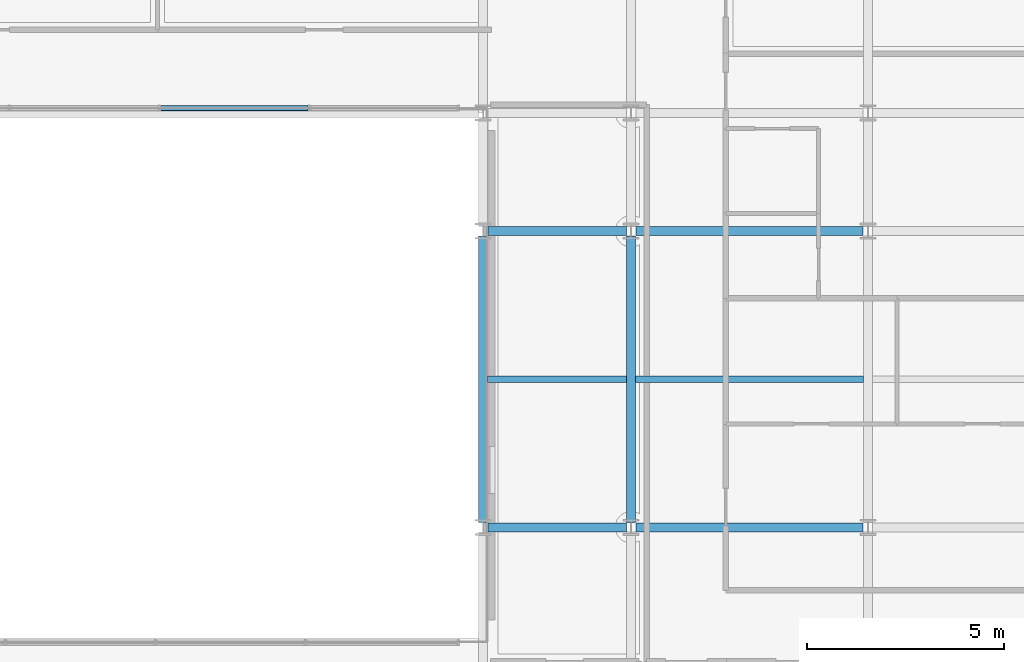
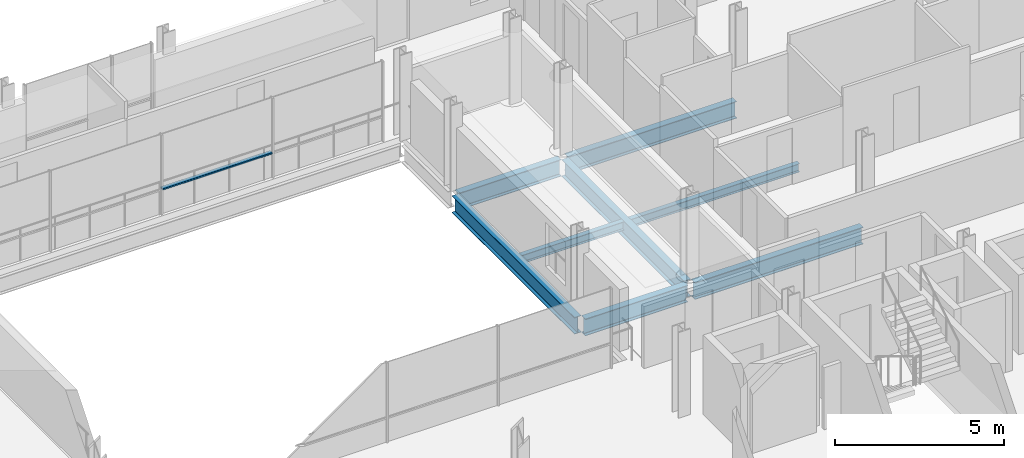
# One storey, part 18 of 38: 8 beams, 1 member, 1 element without a shape of its own.
"""IFC4 building model written with IfcOpenShell, lengths in metres."""

from ifc_helpers import new_model, si_unit, direction, frame, origin, origin_2d, place, context, subcontext, project, spatial, hollow_rectangle, i_section, extrude, material, layer, layer_set, material_profile, profile_set, type_object, element, aggregate, save


model = new_model("IFC4")

# Units and contexts
model_context = context("Model", 3, precision=1e-05, world=origin(), true_north=direction((0.0, 1.0)))
body_context = subcontext(model_context, "Body", "Model", "MODEL_VIEW")
ifc_project = project(units=[si_unit("LENGTHUNIT", "METRE"), si_unit("AREAUNIT", "SQUARE_METRE"), si_unit("VOLUMEUNIT", "CUBIC_METRE"), si_unit("PLANEANGLEUNIT", "RADIAN"), si_unit("MASSUNIT", "GRAM", prefix="KILO")], contexts=[model_context])

# Site, building, storey
site_placement = place(None, origin())
site = spatial("IfcSite", under=ifc_project, at=site_placement, CompositionType="ELEMENT")
building_placement = place(site_placement, origin())
building = spatial("IfcBuilding", under=site, at=building_placement, Name="Brevholm Reach", CompositionType="ELEMENT")
storey_placement = place(building_placement, frame((0.0, 0.0, 166.60009765625)))
storey = spatial("IfcBuildingStorey", under=building, at=storey_placement, Name="L50", CompositionType="ELEMENT", Elevation=166.60009765625)

# Beams
ifc_material_1 = material(Name="Structural Steel S355J2", Category="steel")
ifc_material_profile_1 = material_profile(ifc_material_1, i_section(OverallWidth=0.1650390625, OverallDepth=0.303466796875, WebThickness=0.006103515625, FlangeThickness=0.01025390625, FilletRadius=0.0087890625, at=origin_2d()), Name="UKB 305x165x40")
ifc_profile_set_1 = profile_set([ifc_material_profile_1], Name="Structural Steel S355J2")
beam_type_1 = type_object("IfcBeamType", Name="BM-B305", PredefinedType="BEAM", material=ifc_profile_set_1)
beam_1_placement = place(storey_placement, frame((38.364501953125, 19.75, -0.371826171875), z_axis=(1.0, 0.0, 0.0), x_axis=(0.0, 1.0, 0.0)))
element("IfcBeam", 1, at=beam_1_placement, inside=storey, type_object=beam_type_1, Name="L50 Composite Secondary Floor Beam", PredefinedType="BEAM", context=body_context, shape_type="SweptSolid", body=[
    extrude(i_section(OverallWidth=0.1650390625, OverallDepth=0.303466796875, WebThickness=0.006103515625, FlangeThickness=0.01025390625, FilletRadius=0.0087890625, at=origin_2d()), origin(), (0.0, 0.0, 1.0), 3.52099609375),
])
beam_2_placement = place(storey_placement, frame((42.114501953125, 19.75, -0.371826171875), z_axis=(1.0, 0.0, 0.0), x_axis=(0.0, 1.0, 0.0)))
element("IfcBeam", 2, at=beam_2_placement, inside=storey, type_object=beam_type_1, Name="L50 Composite Secondary Floor Beam", PredefinedType="BEAM", context=body_context, shape_type="SweptSolid", body=[
    extrude(i_section(OverallWidth=0.1650390625, OverallDepth=0.303466796875, WebThickness=0.006103515625, FlangeThickness=0.01025390625, FilletRadius=0.0087890625, at=origin_2d()), origin(), (0.0, 0.0, 1.0), 5.77099609375),
])
ifc_material_2 = material(Name="Structural Steel S355J2", Category="steel")
ifc_material_profile_2 = material_profile(ifc_material_2, i_section(OverallWidth=0.22900390625, OverallDepth=0.6123046875, WebThickness=0.011962890625, FlangeThickness=0.01953125, FilletRadius=0.0126953125, at=origin_2d()), Name="UKB 610x229x125")
ifc_profile_set_2 = profile_set([ifc_material_profile_2], Name="Structural Steel S355J2")
beam_type_2 = type_object("IfcBeamType", Name="BM-SP610", PredefinedType="SPANDREL", material=ifc_profile_set_2)
beam_3_placement = place(storey_placement, frame((38.3701171875, 16.0, -0.526123046875), z_axis=(1.0, 0.0, 0.0), x_axis=(0.0, 1.0, 0.0)))
element("IfcBeam", 3, at=beam_3_placement, inside=storey, type_object=beam_type_2, Name="L50 SP-01 Framing Beam", PredefinedType="SPANDREL", context=body_context, shape_type="SweptSolid", body=[
    extrude(i_section(OverallWidth=0.22900390625, OverallDepth=0.6123046875, WebThickness=0.011962890625, FlangeThickness=0.01953125, FilletRadius=0.0126953125, at=origin_2d()), origin(), (0.0, 0.0, 1.0), 3.509765625),
])
beam_4_placement = place(storey_placement, frame((42.1201171875, 16.0, -0.526123046875), z_axis=(1.0, 0.0, 0.0), x_axis=(0.0, 1.0, 0.0)))
element("IfcBeam", 4, at=beam_4_placement, inside=storey, type_object=beam_type_2, Name="L50 SP-01 Framing Beam", PredefinedType="SPANDREL", context=body_context, shape_type="SweptSolid", body=[
    extrude(i_section(OverallWidth=0.22900390625, OverallDepth=0.6123046875, WebThickness=0.011962890625, FlangeThickness=0.01953125, FilletRadius=0.0126953125, at=origin_2d()), origin(), (0.0, 0.0, 1.0), 5.759765625),
])
beam_5_placement = place(storey_placement, frame((38.3701171875, 23.5, -0.526123046875), z_axis=(1.0, 0.0, 0.0), x_axis=(0.0, 1.0, 0.0)))
element("IfcBeam", 5, at=beam_5_placement, inside=storey, type_object=beam_type_2, Name="L50 SP-01 Framing Beam", PredefinedType="SPANDREL", context=body_context, shape_type="SweptSolid", body=[
    extrude(i_section(OverallWidth=0.22900390625, OverallDepth=0.6123046875, WebThickness=0.011962890625, FlangeThickness=0.01953125, FilletRadius=0.0126953125, at=origin_2d()), origin(), (0.0, 0.0, 1.0), 3.509765625),
])
beam_6_placement = place(storey_placement, frame((42.1201171875, 23.5, -0.526123046875), z_axis=(1.0, 0.0, 0.0), x_axis=(0.0, 1.0, 0.0)))
element("IfcBeam", 6, at=beam_6_placement, inside=storey, type_object=beam_type_2, Name="L50 SP-01 Framing Beam", PredefinedType="SPANDREL", context=body_context, shape_type="SweptSolid", body=[
    extrude(i_section(OverallWidth=0.22900390625, OverallDepth=0.6123046875, WebThickness=0.011962890625, FlangeThickness=0.01953125, FilletRadius=0.0126953125, at=origin_2d()), origin(), (0.0, 0.0, 1.0), 5.759765625),
])
for number, where, z_axis, x_axis, name in (
    (7, (38.25, 16.1201171875, -0.526123046875), (0.0, 1.0, 0.0), (-1.0, 0.0, 0.0), "L50 SP-01 Framing Beam"),
    (8, (42.0, 16.1201171875, -0.526123046875), (0.0, 1.0, 0.0), (-1.0, 0.0, 0.0), "L50 SP-01 Framing Beam"),
):
    element("IfcBeam", number, at=place(storey_placement, frame(where, z_axis=z_axis, x_axis=x_axis)), inside=storey, type_object=beam_type_2, Name=name, PredefinedType="SPANDREL", context=body_context, shape_type="SweptSolid", body=[
        extrude(i_section(OverallWidth=0.22900390625, OverallDepth=0.6123046875, WebThickness=0.011962890625, FlangeThickness=0.01953125, FilletRadius=0.0126953125, at=origin_2d()), origin(), (0.0, 0.0, 1.0), 7.259765625),
    ])

# Curtain wall, member
ifc_material_3 = material(Name="Dark Anodised Aluminium 6063-T6 and Solar-Control Glass", Category="aluminium")
ifc_layer = layer(ifc_material_3, 0.139892578125)
ifc_layer_set = layer_set([ifc_layer], Name="Dark Anodised Aluminium 6063-T6 and Solar-Control Glass")
curtain_wall_type = type_object("IfcCurtainWallType", Name="CW-02", PredefinedType="NOTDEFINED", material=ifc_layer_set)
curtain_wall_placement = place(storey_placement, origin())
curtain_wall = element("IfcCurtainWall", 9, at=curtain_wall_placement, inside=storey, type_object=curtain_wall_type, Name="L50 Curtain Wall CW-02", PredefinedType="NOTDEFINED")
ifc_material_4 = material(Name="Dark Anodised Aluminium 6063-T6", Category="aluminium")
ifc_material_profile_3 = material_profile(ifc_material_4, hollow_rectangle(XDim=0.06005859375, YDim=0.139892578125, WallThickness=0.0048828125, InnerFilletRadius=0.0048828125, OuterFilletRadius=0.010009765625, at=origin_2d()), Name="RHS 140x60x5")
ifc_profile_set_3 = profile_set([ifc_material_profile_3], Name="Dark Anodised Aluminium 6063-T6")
member_type = type_object("IfcMemberType", Name="CWT-140", PredefinedType="NOTDEFINED", material=ifc_profile_set_3)
member_placement = place(storey_placement, frame((33.820068359375, 26.6201171875, 0.89990234375), z_axis=(-1.0, 0.0, 0.0), x_axis=(0.0, 0.0, 1.0)))
member = element("IfcMember", 10, at=member_placement, type_object=member_type, Name="CT-140 Transom 2.1", ObjectType="TRANSOM", PredefinedType="USERDEFINED", context=body_context, shape_type="SweptSolid", body=[
    extrude(hollow_rectangle(XDim=0.06005859375, YDim=0.139892578125, WallThickness=0.0048828125, InnerFilletRadius=0.0048828125, OuterFilletRadius=0.010009765625, at=origin_2d()), origin(), (0.0, 0.0, 1.0), 3.739990234375),
])
aggregate(curtain_wall, [member])

save(model, "model.ifc")
